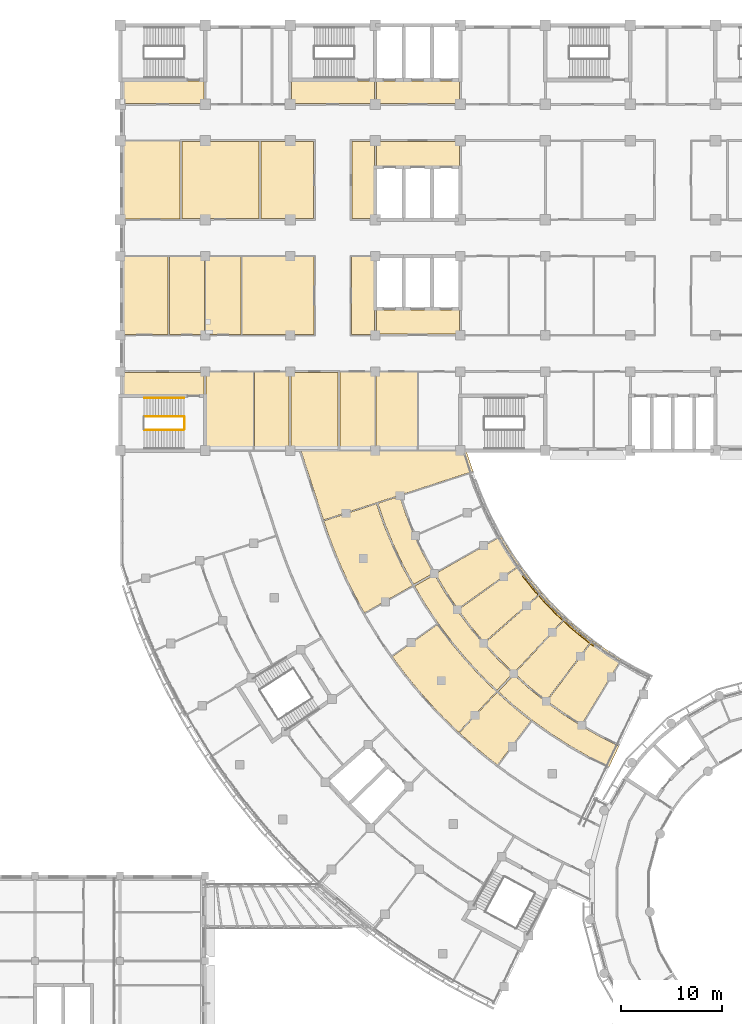
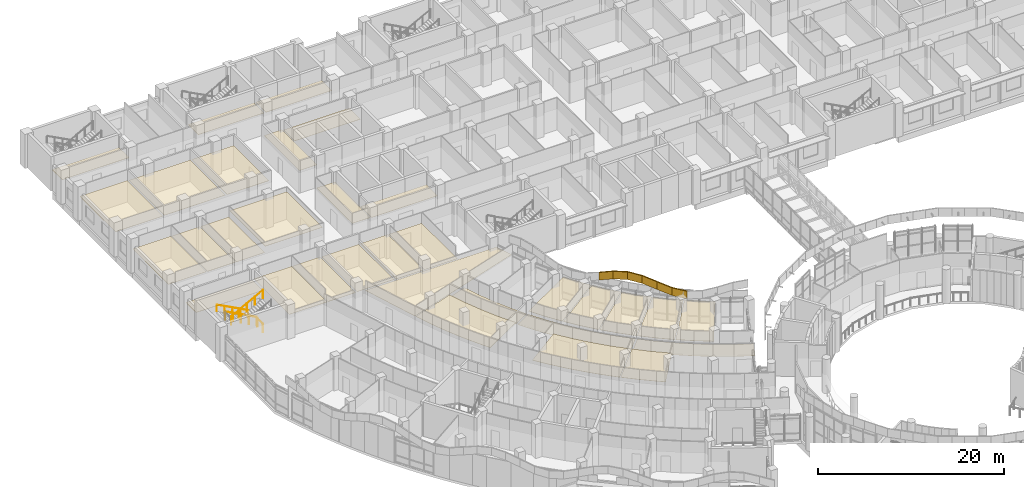
# One storey, part 121 of 136: 38 coverings, 4 railings.
"""IFC4 building model written with IfcOpenShell, lengths in metres."""

from ifc_helpers import new_model, si_unit, direction, frame, origin, origin_2d, place, context, subcontext, project, spatial, polyline, circle, outline, extrude, material, layer, layer_set, type_object, element, save


model = new_model("IFC4")

# Units and contexts
model_context = context("Model", 3, precision=1e-05, world=origin(), true_north=direction((0.0, 1.0)))
body_context = subcontext(model_context, "Body", "Model", "MODEL_VIEW")
ifc_project = project(units=[si_unit("LENGTHUNIT", "METRE"), si_unit("AREAUNIT", "SQUARE_METRE"), si_unit("VOLUMEUNIT", "CUBIC_METRE"), si_unit("PLANEANGLEUNIT", "RADIAN"), si_unit("MASSUNIT", "GRAM", prefix="KILO")], contexts=[model_context])

# Site, building, storey
site_placement = place(None, origin())
site = spatial("IfcSite", under=ifc_project, at=site_placement, CompositionType="ELEMENT")
building_placement = place(site_placement, origin())
building = spatial("IfcBuilding", under=site, at=building_placement, Name="Bougainvillea Quay General Hospital", CompositionType="ELEMENT")
storey_placement = place(building_placement, frame((0.0, 0.0, 5.39990234375)))
storey = spatial("IfcBuildingStorey", under=building, at=storey_placement, Name="L01", CompositionType="ELEMENT", Elevation=5.39990234375)

# Coverings
ifc_material_1 = material(Name="Powder-coated aluminium fascia, yellow", Category="aluminium")
ifc_layer_1 = layer(ifc_material_1, 0.14990234375)
ifc_layer_set_1 = layer_set([ifc_layer_1], Name="Powder-coated aluminium fascia, yellow")
covering_type_1 = type_object("IfcCoveringType", Name="Aluminium wave fascia ribbon yellow 150x1000", PredefinedType="CLADDING", material=ifc_layer_set_1)
covering_1_placement = place(storey_placement, frame((88.826171875, 98.406494140625, 3.205078125), z_axis=(0.137876728143, -0.107174281464, 0.98463378026), x_axis=(-0.777910214081, 0.603621902797, 0.174631890823)))
element("IfcCovering", 1, at=covering_1_placement, inside=storey, type_object=covering_type_1, Name="Fascia ribbon yellow a11 5", PredefinedType="CLADDING", context=body_context, shape_type="SweptSolid", body=[
    extrude(outline(polyline([(0.0, 0.0), (1.6627185729461313, -2.8158085672164157e-16), (1.6665776899428604, 0.15003350766700718), (-0.0036073944127494803, 0.1499133895231981), (0.0, 0.0)])), origin(), (0.174631890823, -0.000146555244, 0.98463378026), 1.0),
])
covering_2_placement = place(storey_placement, frame((87.53271484375, 99.41015625, 3.496337890625), z_axis=(0.254592042638, -0.217793406925, 0.942204289804), x_axis=(-0.715989242922, 0.612460878626, 0.335038917401)))
element("IfcCovering", 2, at=covering_2_placement, inside=storey, type_object=covering_type_1, Name="Fascia ribbon yellow a11 6", PredefinedType="CLADDING", context=body_context, shape_type="SweptSolid", body=[
    extrude(outline(polyline([(0.0, 0.0), (1.737986918940942, -7.859788124162104e-17), (1.741581572694412, 0.15003672121983985), (-0.0035856341104536886, 0.15004349179924745), (0.0, 0.0)])), origin(), (0.335038917401, -1.0070412e-05, 0.942204289804), 1.0),
])
covering_3_placement = place(storey_placement, frame((86.288330078125, 100.474609375, 4.079833984375), z_axis=(0.226192787242, -0.213859936302, 0.95031613195), x_axis=(-0.691866352841, 0.651476833219, 0.311285858313)))
element("IfcCovering", 3, at=covering_3_placement, inside=storey, type_object=covering_type_1, Name="Fascia ribbon yellow a11 7", PredefinedType="CLADDING", context=body_context, shape_type="SweptSolid", body=[
    extrude(outline(polyline([(0.0, 0.0), (1.7227601483374932, 1.3183898417423734e-16), (1.7265287107748686, 0.1499767841546961), (-0.003971585508160556, 0.15002717639586882), (0.0, 0.0)])), origin(), (0.311285858313, -0.000603133418, 0.95031613195), 1.0),
])
covering_4_placement = place(storey_placement, frame((85.096435546875, 101.596923828125, 4.616943359375), z_axis=(0.075782157647, -0.078536257163, 0.994026720412), x_axis=(-0.690323834925, 0.715221730679, 0.109136973109)))
element("IfcCovering", 4, at=covering_4_placement, inside=storey, type_object=covering_type_1, Name="Fascia ribbon yellow a11 8", PredefinedType="CLADDING", context=body_context, shape_type="SweptSolid", body=[
    extrude(outline(polyline([(0.0, 0.0), (1.6473421160996877, 9.643978324258562e-17), (1.6509340124301535, 0.1499324369376896), (-0.003552312882226846, 0.14997968636032838), (0.0, 0.0)])), origin(), (0.109136973109, -1.4404278e-05, 0.994026720412), 1.0),
])
covering_5_placement = place(storey_placement, frame((83.959228515625, 102.775146484375, 4.796630859375), z_axis=(-0.111621238699, 0.127193090517, 0.985577301279), x_axis=(-0.649859920619, 0.740975507666, -0.16922582726)))
element("IfcCovering", 5, at=covering_5_placement, inside=storey, type_object=covering_type_1, Name="Fascia ribbon yellow a11 9", PredefinedType="CLADDING", context=body_context, shape_type="SweptSolid", body=[
    extrude(outline(polyline([(0.0, 0.0), (1.6612859452231197, -3.41740524767431e-16), (1.664820643525333, 0.14987751915605163), (-0.0036248971493147457, 0.14993162800286242), (0.0, 0.0)])), origin(), (-0.16922582726, -5.0912304e-05, 0.985577301279), 1.0),
])
covering_6_placement = place(storey_placement, frame((82.879638671875, 104.006103515625, 4.514404296875), z_axis=(-0.207025747799, 0.26130005065, 0.942795112036), x_axis=(-0.587106070359, 0.737678496941, -0.333372010371)))
element("IfcCovering", 6, at=covering_6_placement, inside=storey, type_object=covering_type_1, Name="Fascia ribbon yellow a11 10", PredefinedType="CLADDING", context=body_context, shape_type="SweptSolid", body=[
    extrude(outline(polyline([(0.0, 0.0), (1.7365183251604264, 2.4399969891786277e-16), (1.7403440361377098, 0.15000656469733029), (-0.003935205253317397, 0.14987393984062714), (0.0, 0.0)])), origin(), (-0.333372010371, 0.000692403457, 0.942795112036), 1.0),
])

# Railings
ifc_material_2 = material(Name="Stainless steel 304 balustrade", Category="steel")
railing_type_1 = type_object("IfcRailingType", Name="Stair guard 1100", PredefinedType="GUARDRAIL", material=ifc_material_2)
railing_1_placement = place(storey_placement, frame((48.300048828125, 120.949951171875, 0.150146484375)))
element("IfcRailing", 7, at=railing_1_placement, inside=storey, type_object=railing_type_1, Name="L01 ST-B1 stair guard 1", PredefinedType="GUARDRAIL", context=body_context, shape_type="SweptSolid", body=[
    extrude(circle(Radius=0.02392578125, at=origin_2d()), frame((0.0, 0.0, 1.076171875), z_axis=(-0.881502004561, 0.0, 0.472180279083), x_axis=(0.0, -1.0, 0.0)), (0.0, 0.0, 1.0), 4.447265625),
    extrude(circle(Radius=0.02099609375, at=origin_2d()), origin(), (0.0, 0.0, 1.0), 1.052001953125),
    extrude(circle(Radius=0.02099609375, at=origin_2d()), frame((-0.97998046875, 0.0, 0.52490234375)), (0.0, 0.0, 1.0), 1.052001953125),
    extrude(circle(Radius=0.02099609375, at=origin_2d()), frame((-1.9599609375, 0.0, 1.0498046875)), (0.0, 0.0, 1.0), 1.052001953125),
    extrude(circle(Radius=0.02099609375, at=origin_2d()), frame((-2.940185546875, 0.0, 1.574951171875)), (0.0, 0.0, 1.0), 1.052001953125),
    extrude(circle(Radius=0.02099609375, at=origin_2d()), frame((-3.920166015625, 0.0, 2.099853515625)), (0.0, 0.0, 1.0), 1.052001953125),
])
railing_2_placement = place(storey_placement, frame((44.3798828125, 119.64990234375, 2.400146484375)))
element("IfcRailing", 8, at=railing_2_placement, inside=storey, type_object=railing_type_1, Name="L01 ST-B1 stair guard 3", PredefinedType="GUARDRAIL", context=body_context, shape_type="SweptSolid", body=[
    extrude(circle(Radius=0.02392578125, at=origin_2d()), frame((0.0, 0.0, 1.076171875), z_axis=(0.881502004561, 0.0, 0.472180279083), x_axis=(0.0, 1.0, 0.0)), (0.0, 0.0, 1.0), 4.447265625),
    extrude(circle(Radius=0.02099609375, at=origin_2d()), origin(), (0.0, 0.0, 1.0), 1.052001953125),
    extrude(circle(Radius=0.02099609375, at=origin_2d()), frame((0.97998046875, 0.0, 0.52490234375)), (0.0, 0.0, 1.0), 1.052001953125),
    extrude(circle(Radius=0.02099609375, at=origin_2d()), frame((1.9599609375, 0.0, 1.0498046875)), (0.0, 0.0, 1.0), 1.052001953125),
    extrude(circle(Radius=0.02099609375, at=origin_2d()), frame((2.940185546875, 0.0, 1.574951171875)), (0.0, 0.0, 1.0), 1.052001953125),
    extrude(circle(Radius=0.02099609375, at=origin_2d()), frame((3.920166015625, 0.0, 2.099853515625)), (0.0, 0.0, 1.0), 1.052001953125),
])
railing_3_placement = place(storey_placement, frame((48.35009765625, 120.89990234375, 0.0)))
element("IfcRailing", 9, at=railing_3_placement, inside=storey, type_object=railing_type_1, Name="L01 ST-B1 stair guard 4", PredefinedType="GUARDRAIL", context=body_context, shape_type="SweptSolid", body=[
    extrude(circle(Radius=0.02392578125, at=origin_2d()), frame((0.0, 0.0, 1.076171875), z_axis=(0.0, -1.0, 0.0), x_axis=(1.0, 0.0, 0.0)), (0.0, 0.0, 1.0), 1.199951171875),
    extrude(circle(Radius=0.02099609375, at=origin_2d()), origin(), (0.0, 0.0, 1.0), 1.052001953125),
    extrude(circle(Radius=0.02099609375, at=origin_2d()), frame((0.0, -1.199951171875, 0.0)), (0.0, 0.0, 1.0), 1.052001953125),
])
ifc_material_3 = material(Name="Stainless steel 304 handrail", Category="steel")
railing_type_2 = type_object("IfcRailingType", Name="Stair handrail 900", PredefinedType="HANDRAIL", material=ifc_material_3)
railing_4_placement = place(storey_placement, frame((48.300048828125, 122.77490234375, 0.150146484375)))
element("IfcRailing", 10, at=railing_4_placement, inside=storey, type_object=railing_type_2, Name="L01 ST-B1 stair handrail 1", PredefinedType="HANDRAIL", context=body_context, shape_type="SweptSolid", body=[
    extrude(circle(Radius=0.02392578125, at=origin_2d()), frame((0.0, 0.0, 0.8759765625), z_axis=(-0.881502004561, 0.0, 0.472180279083), x_axis=(0.0, -1.0, 0.0)), (0.0, 0.0, 1.0), 4.447265625),
    extrude(circle(Radius=0.02099609375, at=origin_2d()), origin(), (0.0, 0.0, 1.0), 0.851806640625),
    extrude(circle(Radius=0.02099609375, at=origin_2d()), frame((-0.97998046875, 0.0, 0.52490234375)), (0.0, 0.0, 1.0), 0.851806640625),
    extrude(circle(Radius=0.02099609375, at=origin_2d()), frame((-1.9599609375, 0.0, 1.0498046875)), (0.0, 0.0, 1.0), 0.851806640625),
    extrude(circle(Radius=0.02099609375, at=origin_2d()), frame((-2.940185546875, 0.0, 1.574951171875)), (0.0, 0.0, 1.0), 0.851806640625),
    extrude(circle(Radius=0.02099609375, at=origin_2d()), frame((-3.920166015625, 0.0, 2.099853515625)), (0.0, 0.0, 1.0), 0.851806640625),
])

# Coverings
ifc_material_4 = material(Name="Mineral fibre ceiling tile")
ifc_layer_2 = layer(ifc_material_4, 0.030029296875)
ifc_layer_set_2 = layer_set([ifc_layer_2], Name="Mineral fibre ceiling tile")
covering_type_2 = type_object("IfcCoveringType", Name="Suspended ceiling mineral fibre tile", PredefinedType="CEILING", material=ifc_layer_set_2)
covering_7_placement = place(storey_placement, frame((0.0, 0.0, 2.7001953125)))
element("IfcCovering", 11, at=covering_7_placement, inside=storey, type_object=covering_type_2, Name="Ceiling Fire Lift Lobby LB-A1", PredefinedType="CEILING", context=body_context, shape_type="SweptSolid", body=[
    extrude(outline(polyline([(75.5, 145.699951171875), (75.5, 148.10009765625), (67.300048828125, 148.10009765625), (67.300048828125, 145.699951171875), (75.5, 145.699951171875)])), origin(), (0.0, 0.0, 1.0), 0.02978515625),
])
covering_8_placement = place(storey_placement, frame((0.0, 0.0, 2.7001953125)))
element("IfcCovering", 12, at=covering_8_placement, inside=storey, type_object=covering_type_2, Name="Ceiling Fire Lift Lobby LB-B1", PredefinedType="CEILING", context=body_context, shape_type="SweptSolid", body=[
    extrude(outline(polyline([(75.5, 129.10009765625), (75.5, 131.5), (67.300048828125, 131.5), (67.300048828125, 129.10009765625), (75.5, 129.10009765625)])), origin(), (0.0, 0.0, 1.0), 0.02978515625),
])
covering_9_placement = place(storey_placement, frame((0.0, 0.0, 2.7001953125)))
element("IfcCovering", 13, at=covering_9_placement, inside=storey, type_object=covering_type_2, Name="Ceiling Lift Lobby LB-G1", PredefinedType="CEILING", context=body_context, shape_type="SweptSolid", body=[
    extrude(outline(polyline([(75.5, 154.10009765625), (67.300048828125, 154.10009765625), (67.300048828125, 151.89990234375), (75.5, 151.89990234375), (75.5, 154.10009765625)])), origin(), (0.0, 0.0, 1.0), 0.02978515625),
])
covering_10_placement = place(storey_placement, frame((0.0, 0.0, 2.7001953125)))
element("IfcCovering", 14, at=covering_10_placement, inside=storey, type_object=covering_type_2, Name="Ceiling Smoke-proof Stair Vestibule ST-A1", PredefinedType="CEILING", context=body_context, shape_type="SweptSolid", body=[
    extrude(outline(polyline([(42.0, 151.89990234375), (50.300048828125, 151.89990234375), (50.300048828125, 154.10009765625), (42.0, 154.10009765625), (42.0, 151.89990234375)])), origin(), (0.0, 0.0, 1.0), 0.02978515625),
])
covering_11_placement = place(storey_placement, frame((0.0, 0.0, 2.7001953125)))
element("IfcCovering", 15, at=covering_11_placement, inside=storey, type_object=covering_type_2, Name="Ceiling Smoke-proof Stair Vestibule ST-B1", PredefinedType="CEILING", context=body_context, shape_type="SweptSolid", body=[
    extrude(outline(polyline([(42.0, 123.10009765625), (50.300048828125, 123.10009765625), (50.300048828125, 125.300048828125), (42.0, 125.300048828125), (42.0, 123.10009765625)])), origin(), (0.0, 0.0, 1.0), 0.02978515625),
])
covering_12_placement = place(storey_placement, frame((0.0, 0.0, 2.7001953125)))
element("IfcCovering", 16, at=covering_12_placement, inside=storey, type_object=covering_type_2, Name="Ceiling Smoke-proof Stair Vestibule ST-D1", PredefinedType="CEILING", context=body_context, shape_type="SweptSolid", body=[
    extrude(outline(polyline([(67.10009765625, 154.10009765625), (58.89990234375, 154.10009765625), (58.89990234375, 151.89990234375), (67.10009765625, 151.89990234375), (67.10009765625, 154.10009765625)])), origin(), (0.0, 0.0, 1.0), 0.02978515625),
])
covering_13_placement = place(storey_placement, frame((0.0, 0.0, 2.800048828125)))
element("IfcCovering", 17, at=covering_13_placement, inside=storey, type_object=covering_type_2, Name="Ceiling Endoscopy Procedure Room 01", PredefinedType="CEILING", context=body_context, shape_type="SweptSolid", body=[
    extrude(outline(polyline([(50.5, 125.35009765625), (50.5, 122.89990234375), (50.449951171875, 122.89990234375), (50.449951171875, 117.64990234375), (55.14794921875, 117.64892578125), (55.14794921875, 125.35009765625), (50.5, 125.35009765625)])), origin(), (0.0, 0.0, 1.0), 0.030029296875),
])
covering_14_placement = place(storey_placement, frame((0.0, 0.0, 2.800048828125)))
element("IfcCovering", 18, at=covering_14_placement, inside=storey, type_object=covering_type_2, Name="Ceiling Endoscopy Procedure Room 02", PredefinedType="CEILING", context=body_context, shape_type="SweptSolid", body=[
    extrude(outline(polyline([(55.248046875, 125.35009765625), (55.248046875, 117.64892578125), (58.697998046875, 117.64794921875), (58.697998046875, 125.35009765625), (55.248046875, 125.35009765625)])), origin(), (0.0, 0.0, 1.0), 0.030029296875),
])
covering_15_placement = place(storey_placement, frame((0.0, 0.0, 2.800048828125)))
element("IfcCovering", 19, at=covering_15_placement, inside=storey, type_object=covering_type_2, Name="Ceiling Endoscopy Decontamination Room", PredefinedType="CEILING", context=body_context, shape_type="SweptSolid", body=[
    extrude(outline(polyline([(58.89794921875, 117.697998046875), (63.498046875, 117.697998046875), (63.498046875, 125.300048828125), (58.89794921875, 125.300048828125), (58.89794921875, 117.697998046875)])), origin(), (0.0, 0.0, 1.0), 0.030029296875),
])
covering_16_placement = place(storey_placement, frame((0.0, 0.0, 2.800048828125)))
element("IfcCovering", 20, at=covering_16_placement, inside=storey, type_object=covering_type_2, Name="Ceiling Endoscopy Recovery Bay Room 01", PredefinedType="CEILING", context=body_context, shape_type="SweptSolid", body=[
    extrude(outline(polyline([(67.14794921875, 117.64794921875), (67.14794921875, 125.35009765625), (63.697998046875, 125.35009765625), (63.697998046875, 117.64794921875), (67.14794921875, 117.64794921875)])), origin(), (0.0, 0.0, 1.0), 0.030029296875),
])
covering_17_placement = place(storey_placement, frame((0.0, 0.0, 2.800048828125)))
element("IfcCovering", 21, at=covering_17_placement, inside=storey, type_object=covering_type_2, Name="Ceiling Endoscopy Recovery Bay Room 02", PredefinedType="CEILING", context=body_context, shape_type="SweptSolid", body=[
    extrude(outline(polyline([(71.347900390625, 117.64794921875), (71.347900390625, 125.35009765625), (67.248046875, 125.35009765625), (67.248046875, 117.64794921875), (71.347900390625, 117.64794921875)])), origin(), (0.0, 0.0, 1.0), 0.030029296875),
])
covering_18_placement = place(storey_placement, frame((0.0, 0.0, 2.800048828125)))
element("IfcCovering", 22, at=covering_18_placement, inside=storey, type_object=covering_type_2, Name="Ceiling Day Procedure Room", PredefinedType="CEILING", context=body_context, shape_type="SweptSolid", body=[
    extrude(outline(polyline([(42.0, 129.050048828125), (46.75, 129.050048828125), (46.75, 136.75), (42.0, 136.75), (42.0, 129.050048828125)])), origin(), (0.0, 0.0, 1.0), 0.030029296875),
])
covering_19_placement = place(storey_placement, frame((0.0, 0.0, 2.800048828125)))
element("IfcCovering", 23, at=covering_19_placement, inside=storey, type_object=covering_type_2, Name="Ceiling Endoscopy Patient Changing Room 01", PredefinedType="CEILING", context=body_context, shape_type="SweptSolid", body=[
    extrude(outline(polyline([(50.35009765625, 129.050048828125), (50.35009765625, 136.75), (46.85009765625, 136.75), (46.85009765625, 129.050048828125), (50.35009765625, 129.050048828125)])), origin(), (0.0, 0.0, 1.0), 0.030029296875),
])
covering_20_placement = place(storey_placement, frame((0.0, 0.0, 2.800048828125)))
element("IfcCovering", 24, at=covering_20_placement, inside=storey, type_object=covering_type_2, Name="Ceiling Endoscopy WC", PredefinedType="CEILING", context=body_context, shape_type="SweptSolid", body=[
    extrude(outline(polyline([(53.949951171875, 129.050048828125), (53.949951171875, 136.75), (50.449951171875, 136.75), (50.449951171875, 129.050048828125), (53.949951171875, 129.050048828125)])), origin(), (0.0, 0.0, 1.0), 0.030029296875),
])
covering_21_placement = place(storey_placement, frame((0.0, 0.0, 3.60009765625)))
element("IfcCovering", 25, at=covering_21_placement, inside=storey, type_object=covering_type_2, Name="Ceiling Endoscopy Waiting Room", PredefinedType="CEILING", context=body_context, shape_type="SweptSolid", body=[
    extrude(outline(polyline([(61.14990234375, 129.050048828125), (61.14990234375, 136.75), (54.050048828125, 136.75), (54.050048828125, 129.050048828125), (61.14990234375, 129.050048828125)])), origin(), (0.0, 0.0, 1.0), 0.030029296875),
])
covering_22_placement = place(storey_placement, frame((0.0, 0.0, 2.800048828125)))
element("IfcCovering", 26, at=covering_22_placement, inside=storey, type_object=covering_type_2, Name="Ceiling Endoscopy Procedure Room 03", PredefinedType="CEILING", context=body_context, shape_type="SweptSolid", body=[
    extrude(outline(polyline([(67.10009765625, 129.050048828125), (67.10009765625, 131.699951171875), (67.14990234375, 131.699951171875), (67.14990234375, 136.75), (64.85009765625, 136.75), (64.85009765625, 129.050048828125), (67.10009765625, 129.050048828125)])), origin(), (0.0, 0.0, 1.0), 0.030029296875),
])
covering_23_placement = place(storey_placement, frame((0.0, 0.0, 2.800048828125)))
element("IfcCovering", 27, at=covering_23_placement, inside=storey, type_object=covering_type_2, Name="Ceiling Laboratory Specimen Reception", PredefinedType="CEILING", context=body_context, shape_type="SweptSolid", body=[
    extrude(outline(polyline([(42.0, 140.449951171875), (47.89990234375, 140.449951171875), (47.89990234375, 148.14990234375), (42.0, 148.14990234375), (42.0, 140.449951171875)])), origin(), (0.0, 0.0, 1.0), 0.030029296875),
])
covering_24_placement = place(storey_placement, frame((0.0, 0.0, 2.800048828125)))
element("IfcCovering", 28, at=covering_24_placement, inside=storey, type_object=covering_type_2, Name="Ceiling Clinical Biochemistry Laboratory", PredefinedType="CEILING", context=body_context, shape_type="SweptSolid", body=[
    extrude(outline(polyline([(55.699951171875, 140.5), (55.699951171875, 148.10009765625), (48.10009765625, 148.10009765625), (48.10009765625, 140.5), (55.699951171875, 140.5)])), origin(), (0.0, 0.0, 1.0), 0.030029296875),
])
covering_25_placement = place(storey_placement, frame((0.0, 0.0, 2.800048828125)))
element("IfcCovering", 29, at=covering_25_placement, inside=storey, type_object=covering_type_2, Name="Ceiling Haematology Laboratory", PredefinedType="CEILING", context=body_context, shape_type="SweptSolid", body=[
    extrude(outline(polyline([(61.10009765625, 140.5), (61.10009765625, 148.10009765625), (55.89990234375, 148.10009765625), (55.89990234375, 140.5), (61.10009765625, 140.5)])), origin(), (0.0, 0.0, 1.0), 0.030029296875),
])
covering_26_placement = place(storey_placement, frame((0.0, 0.0, 2.800048828125)))
element("IfcCovering", 30, at=covering_26_placement, inside=storey, type_object=covering_type_2, Name="Ceiling Clinical Biochemistry Laboratory", PredefinedType="CEILING", context=body_context, shape_type="SweptSolid", body=[
    extrude(outline(polyline([(67.10009765625, 148.10009765625), (64.89990234375, 148.10009765625), (64.89990234375, 140.5), (67.10009765625, 140.5), (67.10009765625, 148.10009765625)])), origin(), (0.0, 0.0, 1.0), 0.030029296875),
])
covering_27_placement = place(storey_placement, frame((0.0, 0.0, 2.400146484375)))
element("IfcCovering", 31, at=covering_27_placement, inside=storey, type_object=covering_type_2, Name="Ceiling Clinic Corridor 01W1", PredefinedType="CEILING", context=body_context, shape_type="SweptSolid", body=[
    extrude(outline(polyline([(91.299072265625, 88.468994140625), (91.265625, 88.40185546875), (89.43994140625, 89.310302734375), (89.437744140625, 89.306640625), (89.37451171875, 89.3427734375), (89.309326171875, 89.375244140625), (89.311279296875, 89.379150390625), (87.60546875, 90.3583984375), (87.603515625, 90.355224609375), (87.5419921875, 90.39501953125), (87.478515625, 90.431396484375), (87.48046875, 90.4345703125), (85.826416015625, 91.499267578125), (85.82421875, 91.496337890625), (85.764892578125, 91.5390625), (85.703369140625, 91.57861328125), (85.705322265625, 91.58154296875), (84.107177734375, 92.728515625), (84.10498046875, 92.7255859375), (84.047607421875, 92.771240234375), (83.98828125, 92.813720703125), (83.990478515625, 92.81689453125), (82.451416015625, 94.044189453125), (82.44873046875, 94.041015625), (82.39453125, 94.08984375), (82.337646484375, 94.135009765625), (82.34033203125, 94.138427734375), (80.898193359375, 95.435302734375), (79.366455078125, 93.7890625), (80.948486328125, 92.3662109375), (82.689208984375, 90.976806640625), (84.499267578125, 89.677978515625), (86.3720703125, 88.47314453125), (88.303466796875, 87.3642578125), (90.29833984375, 86.37158203125), (91.299072265625, 88.468994140625)])), origin(), (0.0, 0.0, 1.0), 0.030029296875),
])
covering_28_placement = place(storey_placement, frame((0.0, 0.0, 2.7001953125)))
element("IfcCovering", 32, at=covering_28_placement, inside=storey, type_object=covering_type_2, Name="Ceiling Plaster Consulting Room 01W102", PredefinedType="CEILING", context=body_context, shape_type="SweptSolid", body=[
    extrude(outline(polyline([(82.539306640625, 90.89990234375), (82.54150390625, 90.90283203125), (80.908447265625, 92.206298828125), (80.905517578125, 92.203125), (80.8515625, 92.251708984375), (80.794677734375, 92.297119140625), (80.79736328125, 92.300537109375), (79.26416015625, 93.67919921875), (79.260986328125, 93.677734375), (79.225830078125, 93.71142578125), (75.50439453125, 89.711669921875), (77.0439453125, 88.3388671875), (78.44970703125, 87.1796875), (79.271728515625, 86.54541015625), (82.55810546875, 90.88623046875), (82.539306640625, 90.89990234375)])), origin(), (0.0, 0.0, 1.0), 0.02978515625),
])
covering_29_placement = place(storey_placement, frame((0.0, 0.0, 2.7001953125)))
element("IfcCovering", 33, at=covering_29_placement, inside=storey, type_object=covering_type_2, Name="Ceiling Plaster Examination Room 01W112", PredefinedType="CEILING", context=body_context, shape_type="SweptSolid", body=[
    extrude(outline(polyline([(89.52197265625, 98.27294921875), (89.492431640625, 98.232666015625), (88.690185546875, 98.821533203125), (84.178955078125, 92.861572265625), (85.84912109375, 91.6630859375), (87.577880859375, 90.55029296875), (91.4619140625, 96.936279296875), (90.18310546875, 97.755859375), (90.2099609375, 97.798095703125), (89.52197265625, 98.27294921875)])), origin(), (0.0, 0.0, 1.0), 0.02978515625),
])
covering_30_placement = place(storey_placement, frame((0.0, 0.0, 2.7001953125)))
element("IfcCovering", 34, at=covering_30_placement, inside=storey, type_object=covering_type_2, Name="Ceiling Fracture Treatment Room 01W113", PredefinedType="CEILING", context=body_context, shape_type="SweptSolid", body=[
    extrude(outline(polyline([(80.96337890625, 95.578369140625), (82.491455078125, 94.204345703125), (84.09912109375, 92.922119140625), (88.610595703125, 98.88232421875), (87.4365234375, 99.81591796875), (87.435546875, 99.814453125), (87.35986328125, 99.876953125), (87.36083984375, 99.87841796875), (86.682373046875, 100.45947265625), (86.681396484375, 100.458251953125), (86.607421875, 100.5234375), (86.6083984375, 100.524658203125), (86.04296875, 101.037841796875), (80.96337890625, 95.578369140625)])), origin(), (0.0, 0.0, 1.0), 0.02978515625),
])
covering_31_placement = place(storey_placement, frame((0.0, 0.0, 2.400146484375)))
element("IfcCovering", 35, at=covering_31_placement, inside=storey, type_object=covering_type_2, Name="Ceiling Clinic Corridor 01W1", PredefinedType="CEILING", context=body_context, shape_type="SweptSolid", body=[
    extrude(outline(polyline([(75.246826171875, 101.83447265625), (75.202880859375, 101.89306640625), (75.2060546875, 101.895263671875), (74.105224609375, 103.527587890625), (74.1015625, 103.525390625), (74.064453125, 103.587890625), (74.02392578125, 103.648193359375), (74.027587890625, 103.650634765625), (73.040771484375, 105.32080078125), (71.086181640625, 104.208984375), (72.16845703125, 102.376953125), (73.4130859375, 100.530517578125), (74.750732421875, 98.74853515625), (76.176513671875, 97.037353515625), (77.6865234375, 95.400390625), (79.219970703125, 93.92529296875), (80.751953125, 95.571533203125), (79.35400390625, 96.9169921875), (79.350830078125, 96.9140625), (79.301513671875, 96.967529296875), (79.2490234375, 97.01806640625), (79.251953125, 97.02099609375), (77.917236328125, 98.466796875), (77.914306640625, 98.46435546875), (77.86767578125, 98.5205078125), (77.818115234375, 98.57421875), (77.82080078125, 98.57666015625), (76.56201171875, 100.088134765625), (76.55908203125, 100.0859375), (76.51513671875, 100.14453125), (76.46826171875, 100.20068359375), (76.47119140625, 100.203125), (75.290771484375, 101.77587890625), (75.287841796875, 101.77392578125), (75.246826171875, 101.83447265625)])), origin(), (0.0, 0.0, 1.0), 0.030029296875),
])
covering_32_placement = place(storey_placement, frame((0.0, 0.0, 2.7001953125)))
element("IfcCovering", 36, at=covering_32_placement, inside=storey, type_object=covering_type_2, Name="Ceiling Pain Management Waiting Hall 01W101", PredefinedType="CEILING", context=body_context, shape_type="SweptSolid", body=[
    extrude(outline(polyline([(74.633056640625, 98.655517578125), (74.58642578125, 98.711669921875), (74.589111328125, 98.7138671875), (73.334716796875, 100.385009765625), (73.331787109375, 100.3828125), (73.31884765625, 100.402099609375), (68.889404296875, 97.249267578125), (69.449462890625, 96.464599609375), (70.199951171875, 95.480224609375), (70.974853515625, 94.515625), (71.7734375, 93.5703125), (72.9970703125, 92.2099609375), (73.8525390625, 91.3154296875), (74.730224609375, 90.44287109375), (75.430908203125, 89.779296875), (79.15283203125, 93.779541015625), (79.116455078125, 93.81201171875), (79.117919921875, 93.8154296875), (77.6318359375, 95.244873046875), (77.628662109375, 95.241943359375), (77.579345703125, 95.29541015625), (77.52685546875, 95.345947265625), (77.530029296875, 95.34912109375), (76.11328125, 96.884765625), (76.1103515625, 96.88232421875), (76.0634765625, 96.9384765625), (76.013916015625, 96.9921875), (76.016845703125, 96.994873046875), (74.679931640625, 98.59912109375), (74.677001953125, 98.596923828125), (74.633056640625, 98.655517578125)])), origin(), (0.0, 0.0, 1.0), 0.02978515625),
])
covering_33_placement = place(storey_placement, frame((0.0, 0.0, 2.7001953125)))
element("IfcCovering", 37, at=covering_33_placement, inside=storey, type_object=covering_type_2, Name="Ceiling Pain Management Consulting Room 01W111", PredefinedType="CEILING", context=body_context, shape_type="SweptSolid", body=[
    extrude(outline(polyline([(84.931396484375, 102.118408203125), (84.8623046875, 102.188232421875), (84.863525390625, 102.189453125), (84.21240234375, 102.870361328125), (84.211181640625, 102.869384765625), (84.144287109375, 102.941650390625), (84.145263671875, 102.942626953125), (83.6337890625, 103.510986328125), (78.014404296875, 98.582763671875), (79.40869140625, 97.072509765625), (80.89013671875, 95.646484375), (85.97021484375, 101.1064453125), (84.9326171875, 102.119384765625), (84.931396484375, 102.118408203125)])), origin(), (0.0, 0.0, 1.0), 0.02978515625),
])
covering_34_placement = place(storey_placement, frame((0.0, 0.0, 2.7001953125)))
element("IfcCovering", 38, at=covering_34_placement, inside=storey, type_object=covering_type_2, Name="Ceiling Pain Management Examination Room 01W112", PredefinedType="CEILING", context=body_context, shape_type="SweptSolid", body=[
    extrude(outline(polyline([(82.668212890625, 104.659912109375), (82.606689453125, 104.736328125), (82.60791015625, 104.7373046875), (81.998291015625, 105.52001953125), (81.9970703125, 105.51904296875), (81.937744140625, 105.59765625), (81.93896484375, 105.5986328125), (81.48779296875, 106.215576171875), (75.399169921875, 101.881591796875), (76.6328125, 100.237548828125), (77.948486328125, 98.657958984375), (83.568359375, 103.58642578125), (82.669677734375, 104.660888671875), (82.668212890625, 104.659912109375)])), origin(), (0.0, 0.0, 1.0), 0.02978515625),
])
covering_35_placement = place(storey_placement, frame((0.0, 0.0, 2.7001953125)))
element("IfcCovering", 39, at=covering_35_placement, inside=storey, type_object=covering_type_2, Name="Ceiling Pain Management Treatment Room 01W113", PredefinedType="CEILING", context=body_context, shape_type="SweptSolid", body=[
    extrude(outline(polyline([(75.341064453125, 101.962890625), (81.43017578125, 106.29736328125), (80.670654296875, 107.41796875), (80.669189453125, 107.4169921875), (80.615478515625, 107.499267578125), (80.616943359375, 107.500244140625), (80.064453125, 108.38037109375), (80.063232421875, 108.379638671875), (80.011962890625, 108.4638671875), (80.013427734375, 108.464599609375), (79.626708984375, 109.1240234375), (73.145751953125, 105.43798828125), (74.19140625, 103.66796875), (75.341064453125, 101.962890625)])), origin(), (0.0, 0.0, 1.0), 0.02978515625),
])
covering_36_placement = place(storey_placement, frame((0.0, 0.0, 2.7001953125)))
element("IfcCovering", 40, at=covering_36_placement, inside=storey, type_object=covering_type_2, Name="Ceiling Diabetes Education Centre", PredefinedType="CEILING", context=body_context, shape_type="SweptSolid", body=[
    extrude(outline(polyline([(59.85595703125, 117.60009765625), (62.0771484375, 110.76416015625), (62.133544921875, 110.782958984375), (62.135009765625, 110.778076171875), (62.139892578125, 110.779296875), (62.14404296875, 110.76318359375), (76.8486328125, 115.54052734375), (76.179931640625, 117.60009765625), (59.85595703125, 117.60009765625)])), origin(), (0.0, 0.0, 1.0), 0.02978515625),
])
covering_37_placement = place(storey_placement, frame((0.0, 0.0, 2.400146484375)))
element("IfcCovering", 41, at=covering_37_placement, inside=storey, type_object=covering_type_2, Name="Ceiling Clinic Corridor 01W2", PredefinedType="CEILING", context=body_context, shape_type="SweptSolid", body=[
    extrude(outline(polyline([(71.97607421875, 107.260009765625), (71.941162109375, 107.32373046875), (71.945068359375, 107.325927734375), (71.1044921875, 109.10546875), (71.10107421875, 109.10400390625), (71.0732421875, 109.171630859375), (71.042236328125, 109.23779296875), (71.045654296875, 109.239501953125), (70.297607421875, 111.05908203125), (70.29345703125, 111.0576171875), (70.269775390625, 111.12646484375), (70.2421875, 111.19384765625), (70.24609375, 111.195556640625), (69.599853515625, 113.076416015625), (67.460693359375, 112.3818359375), (68.168212890625, 110.322509765625), (69.015625, 108.26318359375), (69.9658203125, 106.2490234375), (70.9873046875, 104.3828125), (72.94189453125, 105.49462890625), (72.01123046875, 107.196044921875), (72.00732421875, 107.194091796875), (71.97607421875, 107.260009765625)])), origin(), (0.0, 0.0, 1.0), 0.030029296875),
])
covering_38_placement = place(storey_placement, frame((0.0, 0.0, 2.7001953125)))
element("IfcCovering", 42, at=covering_38_placement, inside=storey, type_object=covering_type_2, Name="Ceiling Diabetes Education Waiting Hall 01W201", PredefinedType="CEILING", context=body_context, shape_type="SweptSolid", body=[
    extrude(outline(polyline([(62.177490234375, 110.63427734375), (62.12451171875, 110.62060546875), (62.496826171875, 109.52294921875), (62.923095703125, 108.36083984375), (63.37841796875, 107.21044921875), (63.862548828125, 106.072265625), (64.375, 104.94580078125), (64.9150390625, 103.832763671875), (65.758056640625, 102.2275390625), (66.1279296875, 101.561767578125), (70.87939453125, 104.263916015625), (70.8544921875, 104.305908203125), (70.856689453125, 104.30859375), (69.8671875, 106.116943359375), (69.86328125, 106.115234375), (69.83203125, 106.180908203125), (69.797119140625, 106.244873046875), (69.801025390625, 106.246826171875), (68.90966796875, 108.136474609375), (68.90625, 108.135009765625), (68.87841796875, 108.20263671875), (68.84716796875, 108.268798828125), (68.8505859375, 108.2705078125), (68.055419921875, 110.2021484375), (68.051513671875, 110.20068359375), (68.02783203125, 110.26953125), (68.0, 110.3369140625), (68.004150390625, 110.33837890625), (67.31787109375, 112.33544921875), (62.173095703125, 110.663818359375), (62.180908203125, 110.640625), (62.176025390625, 110.638916015625), (62.177490234375, 110.63427734375)])), origin(), (0.0, 0.0, 1.0), 0.02978515625),
])

save(model, "model.ifc")
